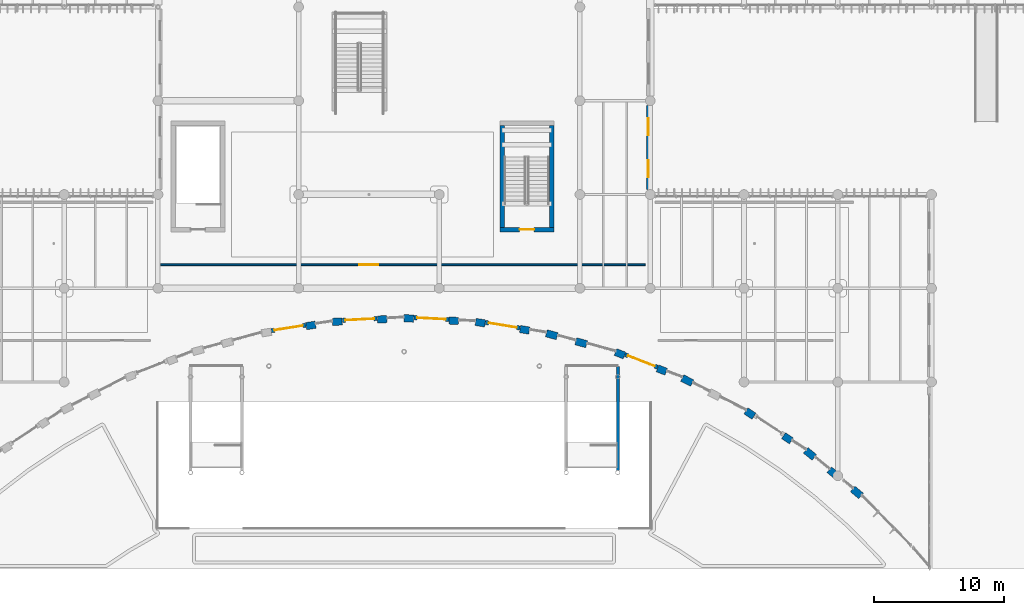
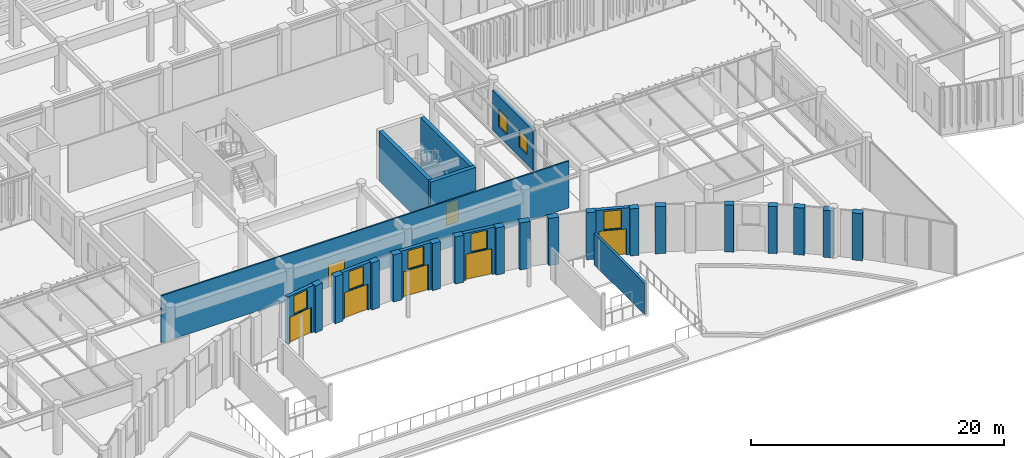
# One storey, part 33 of 122: 28 walls, 7 doors, 7 windows, 14 openings.
"""IFC4 building model written with IfcOpenShell, lengths in metres."""

from ifc_helpers import new_model, si_unit, direction, frame, frame_2d, origin, place, context, subcontext, project, spatial, rectangle, extrude, material, layer, layer_set, type_object, element, fill, save


model = new_model("IFC4")

# Units and contexts
model_context = context("Model", 3, precision=1e-05, world=origin(), true_north=direction((0.0, 1.0)))
body_context = subcontext(model_context, "Body", "Model", "MODEL_VIEW")
ifc_project = project(units=[si_unit("LENGTHUNIT", "METRE"), si_unit("AREAUNIT", "SQUARE_METRE"), si_unit("VOLUMEUNIT", "CUBIC_METRE"), si_unit("PLANEANGLEUNIT", "RADIAN"), si_unit("MASSUNIT", "GRAM", prefix="KILO")], contexts=[model_context])

# Site, building, storey
site_placement = place(None, origin())
site = spatial("IfcSite", under=ifc_project, at=site_placement, CompositionType="ELEMENT")
building_placement = place(site_placement, origin())
building = spatial("IfcBuilding", under=site, at=building_placement, Name="Tazoul Stagehouse", CompositionType="ELEMENT")
storey_placement = place(building_placement, origin())
storey = spatial("IfcBuildingStorey", under=building, at=storey_placement, Name="L00", CompositionType="ELEMENT", Elevation=0.0)

# Walls
ifc_material_1 = material(Name="Ochre Pressed Clay Brick and Concrete C35/45 Backing", Category="masonry")
ifc_layer_1 = layer(ifc_material_1, 0.56005859375, Name="Ochre Pressed Clay Brick and Concrete C35/45 Backing")
ifc_layer_set_1 = layer_set([ifc_layer_1], Name="Ochre Pressed Clay Brick and Concrete C35/45 Backing")
wall_type_1 = type_object("IfcWallType", Name="Concave Crescent Deep Sculpted Brick Pier 560", PredefinedType="SOLIDWALL", material=ifc_layer_set_1)
wall_1_placement = place(storey_placement, frame((68.986572265625, 20.089599609375, 0.0), z_axis=(0.0, 0.0, 1.0), x_axis=(0.98738343789, 0.158347549964, 0.0)))
element("IfcWall", 1, at=wall_1_placement, inside=storey, type_object=wall_type_1, Name="L00 Wall EW-560 (WALL-V5-PIER-C08-2)", PredefinedType="SOLIDWALL", context=body_context, shape_type="SweptSolid", body=[
    extrude(rectangle(XDim=0.719970703125, YDim=0.56005859375, at=frame_2d((0.35986328125, 0.0))), origin(), (0.0, 0.0, 1.0), 4.5400390625),
])
wall_2_placement = place(storey_placement, frame((71.002197265625, 20.4130859375, 0.0), z_axis=(0.0, 0.0, 1.0), x_axis=(0.998588513738, 0.053112900797, 0.0)))
element("IfcWall", 2, at=wall_2_placement, inside=storey, type_object=wall_type_1, Name="L00 Wall EW-560 (WALL-V5-PIER-C09-1)", PredefinedType="SOLIDWALL", context=body_context, shape_type="SweptSolid", body=[
    extrude(rectangle(XDim=0.739990234375, YDim=0.56005859375, at=frame_2d((0.3701171875, 0.0))), origin(), (0.0, 0.0, 1.0), 4.5400390625),
])
wall_3_placement = place(storey_placement, frame((74.457275390625, 20.596435546875, 0.0), z_axis=(0.0, 0.0, 1.0), x_axis=(0.998582006611, 0.05323510188, 0.0)))
element("IfcWall", 3, at=wall_3_placement, inside=storey, type_object=wall_type_1, Name="L00 Wall EW-560 (WALL-V5-PIER-C09-2)", PredefinedType="SOLIDWALL", context=body_context, shape_type="SweptSolid", body=[
    extrude(rectangle(XDim=0.719970703125, YDim=0.56005859375, at=frame_2d((0.35986328125, 0.0))), origin(), (0.0, 0.0, 1.0), 4.5400390625),
])
wall_4_placement = place(storey_placement, frame((76.495849609375, 20.705078125, 0.0), z_axis=(0.0, 0.0, 1.0), x_axis=(0.99860503714, -0.052801323841, 0.0)))
element("IfcWall", 4, at=wall_4_placement, inside=storey, type_object=wall_type_1, Name="L00 Wall EW-560 (WALL-V5-PIER-C10-1)", PredefinedType="SOLIDWALL", context=body_context, shape_type="SweptSolid", body=[
    extrude(rectangle(XDim=0.73974609375, YDim=0.56005859375, at=frame_2d((0.369873046875, 0.0))), origin(), (0.0, 0.0, 1.0), 4.5400390625),
])
wall_5_placement = place(storey_placement, frame((79.950927734375, 20.521728515625, 0.0), z_axis=(0.0, 0.0, 1.0), x_axis=(0.998599974898, -0.052896976599, 0.0)))
element("IfcWall", 5, at=wall_5_placement, inside=storey, type_object=wall_type_1, Name="L00 Wall EW-560 (WALL-V5-PIER-C10-2)", PredefinedType="SOLIDWALL", context=body_context, shape_type="SweptSolid", body=[
    extrude(rectangle(XDim=0.719970703125, YDim=0.56005859375, at=frame_2d((0.35986328125, 0.0))), origin(), (0.0, 0.0, 1.0), 4.5400390625),
])
wall_6_placement = place(storey_placement, frame((81.989501953125, 20.4140625, 0.0), z_axis=(0.0, 0.0, 1.0), x_axis=(0.987382924217, -0.158350752965, 0.0)))
element("IfcWall", 6, at=wall_6_placement, inside=storey, type_object=wall_type_1, Name="L00 Wall EW-560 (WALL-V5-PIER-C11-1)", PredefinedType="SOLIDWALL", context=body_context, shape_type="SweptSolid", body=[
    extrude(rectangle(XDim=0.739990234375, YDim=0.56005859375, at=frame_2d((0.3701171875, 0.0))), origin(), (0.0, 0.0, 1.0), 4.5400390625),
])
wall_7_placement = place(storey_placement, frame((85.40576171875, 19.8662109375, 0.0), z_axis=(0.0, 0.0, 1.0), x_axis=(0.98738343789, -0.158347549964, 0.0)))
element("IfcWall", 7, at=wall_7_placement, inside=storey, type_object=wall_type_1, Name="L00 Wall EW-560 (WALL-V5-PIER-C11-2)", PredefinedType="SOLIDWALL", context=body_context, shape_type="SweptSolid", body=[
    extrude(rectangle(XDim=0.719970703125, YDim=0.56005859375, at=frame_2d((0.35986328125, 0.0))), origin(), (0.0, 0.0, 1.0), 4.5400390625),
])
wall_8_placement = place(storey_placement, frame((87.42138671875, 19.54345703125, 0.0), z_axis=(0.0, 0.0, 1.0), x_axis=(0.965071022865, -0.261988398266, 0.0)))
element("IfcWall", 8, at=wall_8_placement, inside=storey, type_object=wall_type_1, Name="L00 Wall EW-560 (WALL-V5-PIER-C12-1)", PredefinedType="SOLIDWALL", context=body_context, shape_type="SweptSolid", body=[
    extrude(rectangle(XDim=0.860107421875, YDim=0.56005859375, at=frame_2d((0.43017578125, 0.0))), origin(), (0.0, 0.0, 1.0), 4.5400390625),
])
wall_9_placement = place(storey_placement, frame((89.6845703125, 18.92919921875, 0.0), z_axis=(0.0, 0.0, 1.0), x_axis=(0.965123305847, -0.261795730506, 0.0)))
element("IfcWall", 9, at=wall_9_placement, inside=storey, type_object=wall_type_1, Name="L00 Wall EW-560 (WALL-V5-PIER-C12-2)", PredefinedType="SOLIDWALL", context=body_context, shape_type="SweptSolid", body=[
    extrude(rectangle(XDim=0.85986328125, YDim=0.56005859375, at=frame_2d((0.429931640625, 0.0))), origin(), (0.0, 0.0, 1.0), 4.5400390625),
])
wall_10_placement = place(storey_placement, frame((92.73095703125, 18.102783203125, 0.0), z_axis=(0.0, 0.0, 1.0), x_axis=(0.932029444391, -0.362382553095, 0.0)))
element("IfcWall", 10, at=wall_10_placement, inside=storey, type_object=wall_type_1, Name="L00 Wall EW-560 (WALL-V5-PIER-C13-1)", PredefinedType="SOLIDWALL", context=body_context, shape_type="SweptSolid", body=[
    extrude(rectangle(XDim=0.73974609375, YDim=0.56005859375, at=frame_2d((0.369873046875, 0.0))), origin(), (0.0, 0.0, 1.0), 4.5400390625),
])
wall_11_placement = place(storey_placement, frame((95.95556640625, 16.848388671875, 0.0), z_axis=(0.0, 0.0, 1.0), x_axis=(0.931966478623, -0.362544456204, 0.0)))
element("IfcWall", 11, at=wall_11_placement, inside=storey, type_object=wall_type_1, Name="L00 Wall EW-560 (WALL-V5-PIER-C13-2)", PredefinedType="SOLIDWALL", context=body_context, shape_type="SweptSolid", body=[
    extrude(rectangle(XDim=0.719970703125, YDim=0.56005859375, at=frame_2d((0.35986328125, 0.0))), origin(), (0.0, 0.0, 1.0), 4.5400390625),
])
wall_12_placement = place(storey_placement, frame((97.858154296875, 16.108642578125, 0.0), z_axis=(0.0, 0.0, 1.0), x_axis=(0.88838537898, -0.459098484439, 0.0)))
element("IfcWall", 12, at=wall_12_placement, inside=storey, type_object=wall_type_1, Name="L00 Wall EW-560 (WALL-V5-PIER-C14-1)", PredefinedType="SOLIDWALL", context=body_context, shape_type="SweptSolid", body=[
    extrude(rectangle(XDim=0.85986328125, YDim=0.56005859375, at=frame_2d((0.429931640625, 0.0))), origin(), (0.0, 0.0, 1.0), 4.5400390625),
])
wall_13_placement = place(storey_placement, frame((102.74560546875, 13.5830078125, 0.0), z_axis=(0.0, 0.0, 1.0), x_axis=(0.834882382665, -0.550428385093, 0.0)))
element("IfcWall", 13, at=wall_13_placement, inside=storey, type_object=wall_type_1, Name="L00 Wall EW-560 (WALL-V5-PIER-C15-1)", PredefinedType="SOLIDWALL", context=body_context, shape_type="SweptSolid", body=[
    extrude(rectangle(XDim=0.73974609375, YDim=0.56005859375, at=frame_2d((0.369873046875, 0.0))), origin(), (0.0, 0.0, 1.0), 4.5400390625),
])
wall_14_placement = place(storey_placement, frame((105.6337890625, 11.67822265625, 0.0), z_axis=(0.0, 0.0, 1.0), x_axis=(0.834752784548, -0.550624907436, 0.0)))
element("IfcWall", 14, at=wall_14_placement, inside=storey, type_object=wall_type_1, Name="L00 Wall EW-560 (WALL-V5-PIER-C15-2)", PredefinedType="SOLIDWALL", context=body_context, shape_type="SweptSolid", body=[
    extrude(rectangle(XDim=0.719970703125, YDim=0.56005859375, at=frame_2d((0.35986328125, 0.0))), origin(), (0.0, 0.0, 1.0), 4.5400390625),
])
wall_15_placement = place(storey_placement, frame((107.338134765625, 10.5546875, 0.0), z_axis=(0.0, 0.0, 1.0), x_axis=(0.771815508467, -0.635846538789, 0.0)))
element("IfcWall", 15, at=wall_15_placement, inside=storey, type_object=wall_type_1, Name="L00 Wall EW-560 (WALL-V5-PIER-C16-1)", PredefinedType="SOLIDWALL", context=body_context, shape_type="SweptSolid", body=[
    extrude(rectangle(XDim=0.860107421875, YDim=0.56005859375, at=frame_2d((0.43017578125, 0.0))), origin(), (0.0, 0.0, 1.0), 4.5400390625),
])
wall_16_placement = place(storey_placement, frame((109.148193359375, 9.063720703125, 0.0), z_axis=(0.0, 0.0, 1.0), x_axis=(0.771954821173, -0.635677397795, 0.0)))
element("IfcWall", 16, at=wall_16_placement, inside=storey, type_object=wall_type_1, Name="L00 Wall EW-560 (WALL-V5-PIER-C16-2)", PredefinedType="SOLIDWALL", context=body_context, shape_type="SweptSolid", body=[
    extrude(rectangle(XDim=0.85986328125, YDim=0.56005859375, at=frame_2d((0.429931640625, 0.0))), origin(), (0.0, 0.0, 1.0), 4.5400390625),
])
wall_17_placement = place(storey_placement, frame((110.942626953125, 7.585693359375, 0.0), z_axis=(0.0, 0.0, 1.0), x_axis=(0.771712042588, -0.63597210892, 0.0)))
element("IfcWall", 17, at=wall_17_placement, inside=storey, type_object=wall_type_1, Name="L00 Wall EW-560 (WALL-V5-PIER-C16-3)", PredefinedType="SOLIDWALL", context=body_context, shape_type="SweptSolid", body=[
    extrude(rectangle(XDim=0.83984375, YDim=0.56005859375, at=frame_2d((0.419921875, 0.0))), origin(), (0.0, 0.0, 1.0), 4.5400390625),
])

# Wall, openings, window, door
ifc_material_2 = material(Name="Ochre Fired Clay Facing Brick Masonry", Category="masonry")
ifc_layer_2 = layer(ifc_material_2, 0.320068359375, Name="Ochre Fired Clay Facing Brick Masonry")
ifc_layer_set_2 = layer_set([ifc_layer_2], Name="Ochre Fired Clay Facing Brick Masonry")
wall_type_2 = type_object("IfcWallType", Name="Concave Crescent Ochre Brick Facade Wall 320", PredefinedType="SOLIDWALL", material=ifc_layer_set_2)
wall_18_placement = place(storey_placement, frame((66.30810546875, 19.740966796875, 0.0), z_axis=(0.0, 0.0, 1.0), x_axis=(0.987384856389, 0.158338704595, 0.0)))
wall_18 = element("IfcWall", 18, at=wall_18_placement, inside=storey, type_object=wall_type_2, Name="L00 Wall EW-320 (WALL-V5-ENT-C08)", PredefinedType="SOLIDWALL", context=body_context, shape_type="SweptSolid", body=[
    extrude(rectangle(XDim=2.6796875, YDim=0.320068359375, at=frame_2d((1.33984375, 0.0))), origin(), (0.0, 0.0, 1.0), 4.5400390625),
])
opening_1_placement = place(wall_18_placement, frame((0.639892578125, 0.0, 2.580078125)))
opening_1 = element("IfcOpeningElement", 19, at=opening_1_placement, cuts=wall_18, Name="Opening WN-04", PredefinedType="OPENING", context=body_context, shape_type="SweptSolid", body=[
    extrude(rectangle(XDim=1.39990234375, YDim=1.800048828125, at=frame_2d((0.699951171875, 0.89990234375))), frame((0.0, 0.179931640625, 0.0), z_axis=(0.0, -1.0, 0.0), x_axis=(1.0, 0.0, 0.0)), (0.0, 0.0, 1.0), 0.360107421875),
])
opening_2_placement = place(wall_18_placement, frame((0.239990234375, 0.0, 0.0)))
opening_2 = element("IfcOpeningElement", 20, at=opening_2_placement, cuts=wall_18, Name="Opening ED-01", PredefinedType="OPENING", context=body_context, shape_type="SweptSolid", body=[
    extrude(rectangle(XDim=2.199951171875, YDim=2.5, at=frame_2d((1.10009765625, 1.25))), frame((0.0, 0.179931640625, 0.0), z_axis=(0.0, -1.0, 0.0), x_axis=(1.0, 0.0, 0.0)), (0.0, 0.0, 1.0), 0.360107421875),
])
ifc_material_3 = material(Name="Double Low-E Acoustic Laminated Glass", Category="glass")
window_type_1 = type_object("IfcWindowType", Name="Clerestory Acoustic Fixed Light 1400x1800", PartitioningType="SINGLE_PANEL", PredefinedType="WINDOW", material=ifc_material_3)
window_1_placement = place(opening_1_placement, origin())
window_1 = element("IfcWindow", 21, at=window_1_placement, inside=storey, type_object=window_type_1, Name="L00 Window WN-04 (WN-V5-TRN-C08)", OverallHeight=1.800048828125, OverallWidth=1.39990234375, PartitioningType="SINGLE_PANEL", PredefinedType="WINDOW", context=body_context, shape_type="SweptSolid", body=[
    extrude(rectangle(XDim=1.39990234375, YDim=1.800048828125, at=frame_2d((0.699951171875, 0.89990234375))), frame((0.0, 0.030029296875, 0.0), z_axis=(0.0, -1.0, 0.0), x_axis=(1.0, 0.0, 0.0)), (0.0, 0.0, 1.0), 0.06005859375),
])
fill(opening_1, window_1)
door_type_1 = type_object("IfcDoorType", Name="Main Foyer Glazed Double Entrance Door 2200x2500", OperationType="DOUBLE_SWING_LEFT", PredefinedType="DOOR", material=ifc_material_3)
door_1_placement = place(opening_2_placement, origin())
door_1 = element("IfcDoor", 22, at=door_1_placement, inside=storey, type_object=door_type_1, Name="L00 Door ED-01 (DR-V5-L00-C08)", OperationType="SINGLE_SWING_LEFT", OverallHeight=2.5, OverallWidth=2.199951171875, PredefinedType="DOOR", context=body_context, shape_type="SweptSolid", body=[
    extrude(rectangle(XDim=2.199951171875, YDim=2.5, at=frame_2d((1.10009765625, 1.25))), frame((0.0, 0.02490234375, 0.0), z_axis=(0.0, -1.0, 0.0), x_axis=(1.0, 0.0, 0.0)), (0.0, 0.0, 1.0), 0.050048828125),
])
fill(opening_2, door_1)

wall_19_placement = place(storey_placement, frame((71.7568359375, 20.533447265625, 0.0), z_axis=(0.0, 0.0, 1.0), x_axis=(0.998598384616, 0.052926989734, 0.0)))
wall_19 = element("IfcWall", 23, at=wall_19_placement, inside=storey, type_object=wall_type_2, Name="L00 Wall EW-320 (WALL-V5-ENT-C09)", PredefinedType="SOLIDWALL", context=body_context, shape_type="SweptSolid", body=[
    extrude(rectangle(XDim=2.679931640625, YDim=0.320068359375, at=frame_2d((1.33984375, 0.0))), origin(), (0.0, 0.0, 1.0), 4.5400390625),
])
opening_3_placement = place(wall_19_placement, frame((0.639892578125, 0.0, 2.580078125)))
opening_3 = element("IfcOpeningElement", 24, at=opening_3_placement, cuts=wall_19, Name="Opening WN-04", PredefinedType="OPENING", context=body_context, shape_type="SweptSolid", body=[
    extrude(rectangle(XDim=1.39990234375, YDim=1.800048828125, at=frame_2d((0.699951171875, 0.89990234375))), frame((0.0, 0.179931640625, 0.0), z_axis=(0.0, -1.0, 0.0), x_axis=(1.0, 0.0, 0.0)), (0.0, 0.0, 1.0), 0.360107421875),
])
opening_4_placement = place(wall_19_placement, frame((0.239990234375, 0.0, 0.0)))
opening_4 = element("IfcOpeningElement", 25, at=opening_4_placement, cuts=wall_19, Name="Opening ED-01", PredefinedType="OPENING", context=body_context, shape_type="SweptSolid", body=[
    extrude(rectangle(XDim=2.199951171875, YDim=2.5, at=frame_2d((1.10009765625, 1.25))), frame((0.0, 0.179931640625, 0.0), z_axis=(0.0, -1.0, 0.0), x_axis=(1.0, 0.0, 0.0)), (0.0, 0.0, 1.0), 0.360107421875),
])
window_2_placement = place(opening_3_placement, origin())
window_2 = element("IfcWindow", 26, at=window_2_placement, inside=storey, type_object=window_type_1, Name="L00 Window WN-04 (WN-V5-TRN-C09)", OverallHeight=1.800048828125, OverallWidth=1.39990234375, PartitioningType="SINGLE_PANEL", PredefinedType="WINDOW", context=body_context, shape_type="SweptSolid", body=[
    extrude(rectangle(XDim=1.39990234375, YDim=1.800048828125, at=frame_2d((0.699951171875, 0.89990234375))), frame((0.0, 0.030029296875, 0.0), z_axis=(0.0, -1.0, 0.0), x_axis=(1.0, 0.0, 0.0)), (0.0, 0.0, 1.0), 0.06005859375),
])
fill(opening_3, window_2)
door_2_placement = place(opening_4_placement, origin())
door_2 = element("IfcDoor", 27, at=door_2_placement, inside=storey, type_object=door_type_1, Name="L00 Door ED-01 (DR-V5-L00-C09)", OperationType="SINGLE_SWING_LEFT", OverallHeight=2.5, OverallWidth=2.199951171875, PredefinedType="DOOR", context=body_context, shape_type="SweptSolid", body=[
    extrude(rectangle(XDim=2.199951171875, YDim=2.5, at=frame_2d((1.10009765625, 1.25))), frame((0.0, 0.02490234375, 0.0), z_axis=(0.0, -1.0, 0.0), x_axis=(1.0, 0.0, 0.0)), (0.0, 0.0, 1.0), 0.050048828125),
])
fill(opening_4, door_2)

wall_20_placement = place(storey_placement, frame((77.2587890625, 20.74462890625, 0.0), z_axis=(0.0, 0.0, 1.0), x_axis=(0.998598639766, -0.052922175472, 0.0)))
wall_20 = element("IfcWall", 28, at=wall_20_placement, inside=storey, type_object=wall_type_2, Name="L00 Wall EW-320 (WALL-V5-ENT-C10)", PredefinedType="SOLIDWALL", context=body_context, shape_type="SweptSolid", body=[
    extrude(rectangle(XDim=2.68017578125, YDim=0.320068359375, at=frame_2d((1.340087890625, 0.0))), origin(), (0.0, 0.0, 1.0), 4.5400390625),
])
opening_5_placement = place(wall_20_placement, frame((0.639892578125, 0.0, 2.580078125)))
opening_5 = element("IfcOpeningElement", 29, at=opening_5_placement, cuts=wall_20, Name="Opening WN-04", PredefinedType="OPENING", context=body_context, shape_type="SweptSolid", body=[
    extrude(rectangle(XDim=1.39990234375, YDim=1.800048828125, at=frame_2d((0.699951171875, 0.89990234375))), frame((0.0, 0.179931640625, 0.0), z_axis=(0.0, -1.0, 0.0), x_axis=(1.0, 0.0, 0.0)), (0.0, 0.0, 1.0), 0.360107421875),
])
opening_6_placement = place(wall_20_placement, frame((0.239990234375, 0.0, 0.0)))
opening_6 = element("IfcOpeningElement", 30, at=opening_6_placement, cuts=wall_20, Name="Opening ED-01", PredefinedType="OPENING", context=body_context, shape_type="SweptSolid", body=[
    extrude(rectangle(XDim=2.199951171875, YDim=2.5, at=frame_2d((1.10009765625, 1.25))), frame((0.0, 0.179931640625, 0.0), z_axis=(0.0, -1.0, 0.0), x_axis=(1.0, 0.0, 0.0)), (0.0, 0.0, 1.0), 0.360107421875),
])
window_3_placement = place(opening_5_placement, origin())
window_3 = element("IfcWindow", 31, at=window_3_placement, inside=storey, type_object=window_type_1, Name="L00 Window WN-04 (WN-V5-TRN-C10)", OverallHeight=1.800048828125, OverallWidth=1.39990234375, PartitioningType="SINGLE_PANEL", PredefinedType="WINDOW", context=body_context, shape_type="SweptSolid", body=[
    extrude(rectangle(XDim=1.39990234375, YDim=1.800048828125, at=frame_2d((0.699951171875, 0.89990234375))), frame((0.0, 0.030029296875, 0.0), z_axis=(0.0, -1.0, 0.0), x_axis=(1.0, 0.0, 0.0)), (0.0, 0.0, 1.0), 0.06005859375),
])
fill(opening_5, window_3)
door_3_placement = place(opening_6_placement, origin())
door_3 = element("IfcDoor", 32, at=door_3_placement, inside=storey, type_object=door_type_1, Name="L00 Door ED-01 (DR-V5-L00-C10)", OperationType="SINGLE_SWING_LEFT", OverallHeight=2.5, OverallWidth=2.199951171875, PredefinedType="DOOR", context=body_context, shape_type="SweptSolid", body=[
    extrude(rectangle(XDim=2.199951171875, YDim=2.5, at=frame_2d((1.10009765625, 1.25))), frame((0.0, 0.02490234375, 0.0), z_axis=(0.0, -1.0, 0.0), x_axis=(1.0, 0.0, 0.0)), (0.0, 0.0, 1.0), 0.050048828125),
])
fill(opening_6, door_3)

wall_21_placement = place(storey_placement, frame((82.75244140625, 20.372802734375, 0.0), z_axis=(0.0, 0.0, 1.0), x_axis=(0.987387140162, -0.158324462552, 0.0)))
wall_21 = element("IfcWall", 33, at=wall_21_placement, inside=storey, type_object=wall_type_2, Name="L00 Wall EW-320 (WALL-V5-ENT-C11)", PredefinedType="SOLIDWALL", context=body_context, shape_type="SweptSolid", body=[
    extrude(rectangle(XDim=2.679931640625, YDim=0.320068359375, at=frame_2d((1.33984375, 0.0))), origin(), (0.0, 0.0, 1.0), 4.5400390625),
])
opening_7_placement = place(wall_21_placement, frame((0.639892578125, 0.0, 2.580078125)))
opening_7 = element("IfcOpeningElement", 34, at=opening_7_placement, cuts=wall_21, Name="Opening WN-04", PredefinedType="OPENING", context=body_context, shape_type="SweptSolid", body=[
    extrude(rectangle(XDim=1.39990234375, YDim=1.800048828125, at=frame_2d((0.699951171875, 0.89990234375))), frame((0.0, 0.179931640625, 0.0), z_axis=(0.0, -1.0, 0.0), x_axis=(1.0, 0.0, 0.0)), (0.0, 0.0, 1.0), 0.360107421875),
])
opening_8_placement = place(wall_21_placement, frame((0.239990234375, 0.0, 0.0)))
opening_8 = element("IfcOpeningElement", 35, at=opening_8_placement, cuts=wall_21, Name="Opening ED-01", PredefinedType="OPENING", context=body_context, shape_type="SweptSolid", body=[
    extrude(rectangle(XDim=2.199951171875, YDim=2.5, at=frame_2d((1.10009765625, 1.25))), frame((0.0, 0.179931640625, 0.0), z_axis=(0.0, -1.0, 0.0), x_axis=(1.0, 0.0, 0.0)), (0.0, 0.0, 1.0), 0.360107421875),
])
window_4_placement = place(opening_7_placement, origin())
window_4 = element("IfcWindow", 36, at=window_4_placement, inside=storey, type_object=window_type_1, Name="L00 Window WN-04 (WN-V5-TRN-C11)", OverallHeight=1.800048828125, OverallWidth=1.39990234375, PartitioningType="SINGLE_PANEL", PredefinedType="WINDOW", context=body_context, shape_type="SweptSolid", body=[
    extrude(rectangle(XDim=1.39990234375, YDim=1.800048828125, at=frame_2d((0.699951171875, 0.89990234375))), frame((0.0, 0.030029296875, 0.0), z_axis=(0.0, -1.0, 0.0), x_axis=(1.0, 0.0, 0.0)), (0.0, 0.0, 1.0), 0.06005859375),
])
fill(opening_7, window_4)
door_4_placement = place(opening_8_placement, origin())
door_4 = element("IfcDoor", 37, at=door_4_placement, inside=storey, type_object=door_type_1, Name="L00 Door ED-01 (DR-V5-L00-C11)", OperationType="SINGLE_SWING_LEFT", OverallHeight=2.5, OverallWidth=2.199951171875, PredefinedType="DOOR", context=body_context, shape_type="SweptSolid", body=[
    extrude(rectangle(XDim=2.199951171875, YDim=2.5, at=frame_2d((1.10009765625, 1.25))), frame((0.0, 0.02490234375, 0.0), z_axis=(0.0, -1.0, 0.0), x_axis=(1.0, 0.0, 0.0)), (0.0, 0.0, 1.0), 0.050048828125),
])
fill(opening_8, door_4)

wall_22_placement = place(storey_placement, frame((93.46826171875, 17.90185546875, 0.0), z_axis=(0.0, 0.0, 1.0), x_axis=(0.931984153545, -0.362499017298, 0.0)))
wall_22 = element("IfcWall", 38, at=wall_22_placement, inside=storey, type_object=wall_type_2, Name="L00 Wall EW-320 (WALL-V5-ENT-C13)", PredefinedType="SOLIDWALL", context=body_context, shape_type="SweptSolid", body=[
    extrude(rectangle(XDim=2.679931640625, YDim=0.320068359375, at=frame_2d((1.33984375, 0.0))), origin(), (0.0, 0.0, 1.0), 4.5400390625),
])
opening_9_placement = place(wall_22_placement, frame((0.639892578125, 0.0, 2.580078125)))
opening_9 = element("IfcOpeningElement", 39, at=opening_9_placement, cuts=wall_22, Name="Opening WN-04", PredefinedType="OPENING", context=body_context, shape_type="SweptSolid", body=[
    extrude(rectangle(XDim=1.39990234375, YDim=1.800048828125, at=frame_2d((0.699951171875, 0.89990234375))), frame((0.0, 0.179931640625, 0.0), z_axis=(0.0, -1.0, 0.0), x_axis=(1.0, 0.0, 0.0)), (0.0, 0.0, 1.0), 0.360107421875),
])
opening_10_placement = place(wall_22_placement, frame((0.239990234375, 0.0, 0.0)))
opening_10 = element("IfcOpeningElement", 40, at=opening_10_placement, cuts=wall_22, Name="Opening ED-01", PredefinedType="OPENING", context=body_context, shape_type="SweptSolid", body=[
    extrude(rectangle(XDim=2.199951171875, YDim=2.5, at=frame_2d((1.10009765625, 1.25))), frame((0.0, 0.179931640625, 0.0), z_axis=(0.0, -1.0, 0.0), x_axis=(1.0, 0.0, 0.0)), (0.0, 0.0, 1.0), 0.360107421875),
])
window_5_placement = place(opening_9_placement, origin())
window_5 = element("IfcWindow", 41, at=window_5_placement, inside=storey, type_object=window_type_1, Name="L00 Window WN-04 (WN-V5-TRN-C13)", OverallHeight=1.800048828125, OverallWidth=1.39990234375, PartitioningType="SINGLE_PANEL", PredefinedType="WINDOW", context=body_context, shape_type="SweptSolid", body=[
    extrude(rectangle(XDim=1.39990234375, YDim=1.800048828125, at=frame_2d((0.699951171875, 0.89990234375))), frame((0.0, 0.030029296875, 0.0), z_axis=(0.0, -1.0, 0.0), x_axis=(1.0, 0.0, 0.0)), (0.0, 0.0, 1.0), 0.06005859375),
])
fill(opening_9, window_5)
door_5_placement = place(opening_10_placement, origin())
door_5 = element("IfcDoor", 42, at=door_5_placement, inside=storey, type_object=door_type_1, Name="L00 Door ED-01 (DR-V5-L00-C13)", OperationType="SINGLE_SWING_LEFT", OverallHeight=2.5, OverallWidth=2.199951171875, PredefinedType="DOOR", context=body_context, shape_type="SweptSolid", body=[
    extrude(rectangle(XDim=2.199951171875, YDim=2.5, at=frame_2d((1.10009765625, 1.25))), frame((0.0, 0.02490234375, 0.0), z_axis=(0.0, -1.0, 0.0), x_axis=(1.0, 0.0, 0.0)), (0.0, 0.0, 1.0), 0.050048828125),
])
fill(opening_10, door_5)

# Wall, opening, door
ifc_material_4 = material(Name="Concrete C40/50", Category="concrete")
ifc_layer_3 = layer(ifc_material_4, 0.35009765625, Name="Concrete C40/50")
ifc_layer_set_3 = layer_set([ifc_layer_3], Name="Concrete C40/50")
wall_type_3 = type_object("IfcWallType", Name="Core Shear Wall 350", PredefinedType="SOLIDWALL", material=ifc_layer_set_3)
wall_23_placement = place(storey_placement, frame((88.0, 27.5048828125, 0.0), z_axis=(0.0, 0.0, 1.0), x_axis=(-1.0, 0.0, 0.0)))
wall_23 = element("IfcWall", 43, at=wall_23_placement, inside=storey, type_object=wall_type_3, Name="L00 Core Wall CW-350 (SHF-ST-08-south)", PredefinedType="SOLIDWALL", context=body_context, shape_type="SweptSolid", body=[
    extrude(rectangle(XDim=4.14990234375, YDim=0.35009765625, at=frame_2d((2.074951171875, 0.0))), origin(), (0.0, 0.0, 1.0), 4.800048828125),
])
opening_11_placement = place(wall_23_placement, frame((1.52490234375, 0.0, 0.0)))
opening_11 = element("IfcOpeningElement", 44, at=opening_11_placement, cuts=wall_23, Name="Opening FD-01", PredefinedType="OPENING", context=body_context, shape_type="SweptSolid", body=[
    extrude(rectangle(XDim=1.10009765625, YDim=2.14990234375, at=frame_2d((0.550048828125, 1.074951171875))), frame((0.0, 0.195068359375, 0.0), z_axis=(0.0, -1.0, 0.0), x_axis=(1.0, 0.0, 0.0)), (0.0, 0.0, 1.0), 0.39013671875),
])
ifc_material_5 = material(Name="Powder-Coated Galvanised Acoustic Steel", Category="steel")
door_type_2 = type_object("IfcDoorType", Name="Core Escape Stair Fire Door 1100x2150", OperationType="NOTDEFINED", PredefinedType="DOOR", material=ifc_material_5)
door_6_placement = place(opening_11_placement, origin())
door_6 = element("IfcDoor", 45, at=door_6_placement, inside=storey, type_object=door_type_2, Name="L00 Escape Stair Fire Door FD-01 (ST-08)", OperationType="SINGLE_SWING_LEFT", OverallHeight=2.14990234375, OverallWidth=1.10009765625, PredefinedType="DOOR", context=body_context, shape_type="SweptSolid", body=[
    extrude(rectangle(XDim=1.10009765625, YDim=2.14990234375, at=frame_2d((0.550048828125, 1.074951171875))), frame((0.0, 0.02490234375, 0.0), z_axis=(0.0, -1.0, 0.0), x_axis=(1.0, 0.0, 0.0)), (0.0, 0.0, 1.0), 0.050048828125),
])
fill(opening_11, door_6)

# Walls
for number, where, z_axis, x_axis, name in (
    (46, (84.02490234375, 27.679931640625, 0.0), (0.0, 0.0, 1.0), (0.0, 1.0, 0.0), "L00 Core Wall CW-350 (SHF-ST-08-west)"),
    (47, (87.824951171875, 35.47998046875, 0.0), (0.0, 0.0, 1.0), (0.0, -1.0, 0.0), "L00 Core Wall CW-350 (SHF-ST-08-east)"),
):
    element("IfcWall", number, at=place(storey_placement, frame(where, z_axis=z_axis, x_axis=x_axis)), inside=storey, type_object=wall_type_3, Name=name, PredefinedType="SOLIDWALL", context=body_context, shape_type="SweptSolid", body=[
        extrude(rectangle(XDim=7.800048828125, YDim=0.35009765625, at=frame_2d((3.89990234375, 0.0))), origin(), (0.0, 0.0, 1.0), 4.800048828125),
    ])

# Wall, openings, windows
ifc_material_6 = material(Name="Precast concrete C40/50", Category="concrete")
ifc_layer_4 = layer(ifc_material_6, 0.280029296875, Name="Precast concrete C40/50")
ifc_layer_set_4 = layer_set([ifc_layer_4], Name="Precast concrete C40/50")
wall_type_4 = type_object("IfcWallType", Name="Insulated Precast Acoustic Cladding Wall 280", PredefinedType="SOLIDWALL", material=ifc_layer_set_4)
wall_24_placement = place(storey_placement, frame((95.239990234375, 30.580078125, 0.0), z_axis=(0.0, 0.0, 1.0), x_axis=(0.0, 1.0, 0.0)))
wall_24 = element("IfcWall", 48, at=wall_24_placement, inside=storey, type_object=wall_type_4, Name="L00 Wall EW-280 (WALL-V5-THRE-L00-S1)", PredefinedType="SOLIDWALL", context=body_context, shape_type="SweptSolid", body=[
    extrude(rectangle(XDim=6.43994140625, YDim=0.280029296875, at=frame_2d((3.219970703125, 0.0))), origin(), (0.0, 0.0, 1.0), 3.873046875),
])
opening_12_placement = place(wall_24_placement, frame((0.9599609375, 0.0, 0.949951171875)))
opening_12 = element("IfcOpeningElement", 49, at=opening_12_placement, cuts=wall_24, Name="Opening WN-31", PredefinedType="OPENING", context=body_context, shape_type="SweptSolid", body=[
    extrude(rectangle(XDim=1.300048828125, YDim=1.64990234375, at=frame_2d((0.64990234375, 0.824951171875))), frame((0.0, 0.159912109375, 0.0), z_axis=(0.0, -1.0, 0.0), x_axis=(1.0, 0.0, 0.0)), (0.0, 0.0, 1.0), 0.320068359375),
])
opening_13_placement = place(wall_24_placement, frame((4.179931640625, 0.0, 0.949951171875)))
opening_13 = element("IfcOpeningElement", 50, at=opening_13_placement, cuts=wall_24, Name="Opening WN-31", PredefinedType="OPENING", context=body_context, shape_type="SweptSolid", body=[
    extrude(rectangle(XDim=1.300048828125, YDim=1.64990234375, at=frame_2d((0.64990234375, 0.824951171875))), frame((0.0, 0.159912109375, 0.0), z_axis=(0.0, -1.0, 0.0), x_axis=(1.0, 0.0, 0.0)), (0.0, 0.0, 1.0), 0.320068359375),
])
window_type_2 = type_object("IfcWindowType", Name="Stagehouse Technical Light 1300x1650", PartitioningType="SINGLE_PANEL", PredefinedType="WINDOW", material=ifc_material_3)
window_6_placement = place(opening_12_placement, origin())
window_6 = element("IfcWindow", 51, at=window_6_placement, inside=storey, type_object=window_type_2, Name="L00 Window WN-31 (WALL-V5-THRE-L00-S1-W1)", OverallHeight=1.64990234375, OverallWidth=1.300048828125, PartitioningType="SINGLE_PANEL", PredefinedType="WINDOW", context=body_context, shape_type="SweptSolid", body=[
    extrude(rectangle(XDim=1.300048828125, YDim=1.64990234375, at=frame_2d((0.64990234375, 0.824951171875))), frame((0.0, 0.030029296875, 0.0), z_axis=(0.0, -1.0, 0.0), x_axis=(1.0, 0.0, 0.0)), (0.0, 0.0, 1.0), 0.06005859375),
])
fill(opening_12, window_6)
window_7_placement = place(opening_13_placement, origin())
window_7 = element("IfcWindow", 52, at=window_7_placement, inside=storey, type_object=window_type_2, Name="L00 Window WN-31 (WALL-V5-THRE-L00-S1-W2)", OverallHeight=1.64990234375, OverallWidth=1.300048828125, PartitioningType="SINGLE_PANEL", PredefinedType="WINDOW", context=body_context, shape_type="SweptSolid", body=[
    extrude(rectangle(XDim=1.300048828125, YDim=1.64990234375, at=frame_2d((0.64990234375, 0.824951171875))), frame((0.0, 0.030029296875, 0.0), z_axis=(0.0, -1.0, 0.0), x_axis=(1.0, 0.0, 0.0)), (0.0, 0.0, 1.0), 0.06005859375),
])
fill(opening_13, window_7)

# Wall, opening, door
ifc_material_7 = material(Name="Gypsum Acoustic Partition", Category="gypsum")
ifc_layer_5 = layer(ifc_material_7, 0.1298828125, Name="Gypsum Acoustic Partition")
ifc_layer_set_5 = layer_set([ifc_layer_5], Name="Gypsum Acoustic Partition")
wall_type_5 = type_object("IfcWallType", Name="Office Drywall Partition 130", PredefinedType="PARTITIONING", material=ifc_layer_set_5)
wall_25_placement = place(storey_placement, frame((57.800048828125, 24.800048828125, 0.0), z_axis=(0.0, 0.0, 1.0), x_axis=(1.0, 0.0, 0.0)))
wall_25 = element("IfcWall", 53, at=wall_25_placement, inside=storey, type_object=wall_type_5, Name="L00 Partition PW-130 (PW-RM-L00-107-N)", PredefinedType="PARTITIONING", context=body_context, shape_type="SweptSolid", body=[
    extrude(rectangle(XDim=37.199951171875, YDim=0.1298828125, at=frame_2d((18.60009765625, 0.0))), origin(), (0.0, 0.0, 1.0), 4.5400390625),
])
opening_14_placement = place(wall_25_placement, frame((15.264892578125, 0.0, 0.0)))
opening_14 = element("IfcOpeningElement", 54, at=opening_14_placement, cuts=wall_25, Name="Opening ID-21", PredefinedType="OPENING", context=body_context, shape_type="SweptSolid", body=[
    extrude(rectangle(XDim=1.449951171875, YDim=2.199951171875, at=frame_2d((0.72509765625, 1.10009765625))), frame((0.0, 0.0849609375, 0.0), z_axis=(0.0, -1.0, 0.0), x_axis=(1.0, 0.0, 0.0)), (0.0, 0.0, 1.0), 0.169921875),
])
ifc_material_8 = material(Name="Acoustic Cedar Timber", Category="wood")
door_type_3 = type_object("IfcDoorType", Name="Press Conference Double Door 1450x2200", OperationType="DOUBLE_DOOR_SINGLE_SWING", PredefinedType="DOOR", material=ifc_material_8)
door_7_placement = place(opening_14_placement, origin())
door_7 = element("IfcDoor", 55, at=door_7_placement, inside=storey, type_object=door_type_3, Name="L00 Crescent Forecourt Patron Gallery Door", OperationType="DOUBLE_DOOR_SINGLE_SWING", OverallHeight=2.199951171875, OverallWidth=1.449951171875, PredefinedType="DOOR", context=body_context, shape_type="SweptSolid", body=[
    extrude(rectangle(XDim=1.449951171875, YDim=2.199951171875, at=frame_2d((0.72509765625, 1.10009765625))), frame((0.0, 0.02490234375, 0.0), z_axis=(0.0, -1.0, 0.0), x_axis=(1.0, 0.0, 0.0)), (0.0, 0.0, 1.0), 0.050048828125),
])
fill(opening_14, door_7)

# Wall
ifc_layer_6 = layer(ifc_material_4, 0.219970703125, Name="Concrete C40/50")
ifc_layer_set_6 = layer_set([ifc_layer_6], Name="Concrete C40/50")
wall_type_6 = type_object("IfcWallType", Name="Protected Exit Passage Wall 220 (Exterior)", PredefinedType="SOLIDWALL", material=ifc_layer_set_6)
wall_26_placement = place(storey_placement, frame((92.909912109375, 9.014892578125, 0.0), z_axis=(0.0, 0.0, 1.0), x_axis=(0.0, 1.0, 0.0)))
element("IfcWall", 56, at=wall_26_placement, inside=storey, type_object=wall_type_6, Name="L00 Civic Stair Cheek Wall CW-220E (ST-AMP-E-E)", PredefinedType="SOLIDWALL", context=body_context, shape_type="SweptSolid", body=[
    extrude(rectangle(XDim=7.985107421875, YDim=0.219970703125, at=frame_2d((3.99267578125, 0.0))), origin(), (0.0, 0.0, 1.0), 3.02001953125),
])

save(model, "model.ifc")
